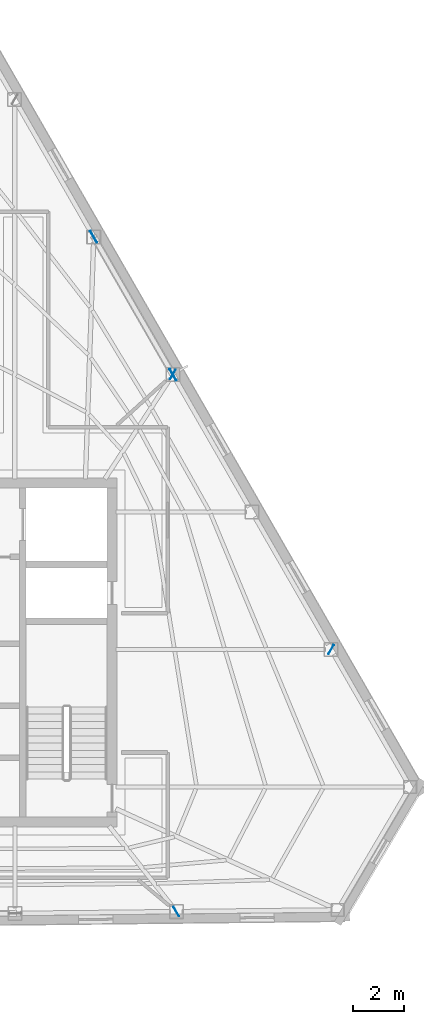
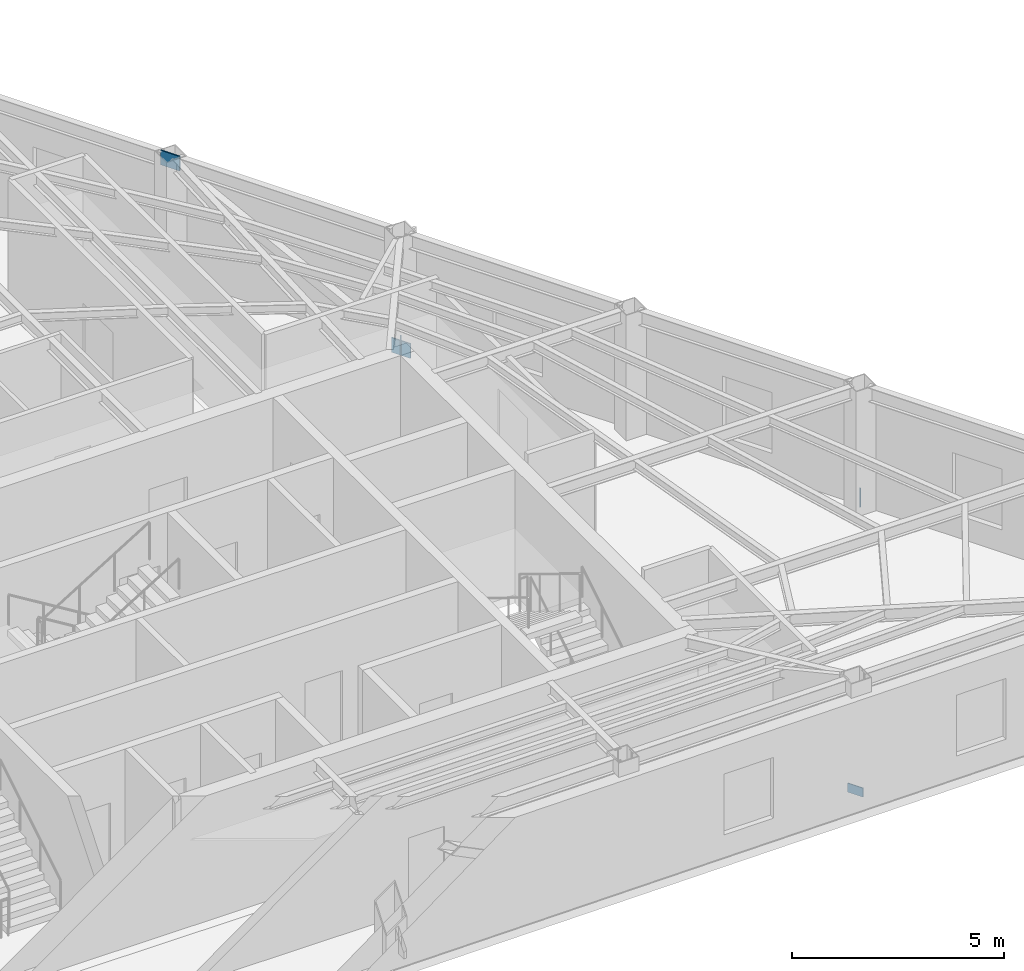
# One storey, part 5 of 11: 5 plates.
"""IFC4 building model written with IfcOpenShell, lengths in metres."""

from ifc_helpers import new_model, si_unit, direction, frame, origin, origin_2d, place, context, subcontext, project, spatial, rectangle, extrude, material, layer, layer_set, type_object, element, save


model = new_model("IFC4")

# Units and contexts
model_context = context("Model", 3, precision=1e-05, world=origin(), true_north=direction((0.0, 1.0)))
body_context = subcontext(model_context, "Body", "Model", "MODEL_VIEW")
ifc_project = project(units=[si_unit("LENGTHUNIT", "METRE"), si_unit("AREAUNIT", "SQUARE_METRE"), si_unit("VOLUMEUNIT", "CUBIC_METRE"), si_unit("PLANEANGLEUNIT", "RADIAN"), si_unit("MASSUNIT", "GRAM", prefix="KILO")], contexts=[model_context])

# Site, building, storey
site_placement = place(None, origin())
site = spatial("IfcSite", under=ifc_project, at=site_placement, CompositionType="ELEMENT")
building_placement = place(site_placement, origin())
building = spatial("IfcBuilding", under=site, at=building_placement, Name="Kavelnor Concourse Tower", CompositionType="ELEMENT")
storey_placement = place(building_placement, frame((0.0, 0.0, 285.699951171875)))
storey = spatial("IfcBuildingStorey", under=building, at=storey_placement, Name="L72", CompositionType="ELEMENT", Elevation=285.699951171875)

# Plates
ifc_material = material(Name="Steel Grade 350", Category="steel")
ifc_layer_1 = layer(ifc_material, 0.031982421875, Name="Steel Grade 350")
ifc_layer_set_1 = layer_set([ifc_layer_1], Name="Steel Grade 350")
plate_type_1 = type_object("IfcPlateType", Name="PL-GUSSET-TUBE-Z1", PredefinedType="USERDEFINED", material=ifc_layer_set_1)
for number, where, z_axis, x_axis, name in (
    (1, (50.119140625, 27.06201171875, 0.010009765625), (0.0, 0.0, 1.0), (-0.498639034186, 0.866809733209, 0.0), "L72 Tube Brace Gusset GP3 F2-B3 End Gusset A"),
    (2, (46.985107421875, 32.509521484375, 3.197021484375), (0.0, 0.0, 1.0), (-0.498639034186, 0.866809733209, 0.0), "L72 Tube Brace Gusset GP3 F2-B3 End Gusset B"),
):
    element("IfcPlate", number, at=place(storey_placement, frame(where, z_axis=z_axis, x_axis=x_axis)), inside=storey, type_object=plate_type_1, Name=name, ObjectType="GUSSET_PLATE", PredefinedType="USERDEFINED", context=body_context, shape_type="SweptSolid", body=[
        extrude(rectangle(XDim=0.52001953125, YDim=0.031982421875, at=origin_2d()), origin(), (0.0, 0.0, 1.0), 0.419921875),
    ])
ifc_layer_2 = layer(ifc_material, 0.02490234375, Name="Steel Grade 350")
ifc_layer_set_2 = layer_set([ifc_layer_2], Name="Steel Grade 350")
plate_type_2 = type_object("IfcPlateType", Name="PL-SPLICE-FLANGE", PredefinedType="SHEET", material=ifc_layer_set_2)
for number, where, z_axis, x_axis, name in (
    (3, (50.250732421875, 5.873046875, 0.169921875), (0.0, 0.0, 1.0), (-0.5, 0.866025403784, 0.0), "L72 Column Flange Splice Plate F1-B5"),
    (4, (56.356689453125, 16.21875, 0.169921875), (0.0, 0.0, 1.0), (-0.5, -0.866025403784, 0.0), "L72 Column Flange Splice Plate F2-B1"),
    (5, (50.113037109375, 27.072509765625, 0.169921875), (0.0, 0.0, 1.0), (-0.5, -0.866025403784, 0.0), "L72 Column Flange Splice Plate F2-B3"),
):
    element("IfcPlate", number, at=place(storey_placement, frame(where, z_axis=z_axis, x_axis=x_axis)), inside=storey, type_object=plate_type_2, Name=name, PredefinedType="SHEET", context=body_context, shape_type="SweptSolid", body=[
        extrude(rectangle(XDim=0.419921875, YDim=0.02490234375, at=origin_2d()), origin(), (0.0, 0.0, 1.0), 0.260009765625),
    ])

save(model, "model.ifc")
